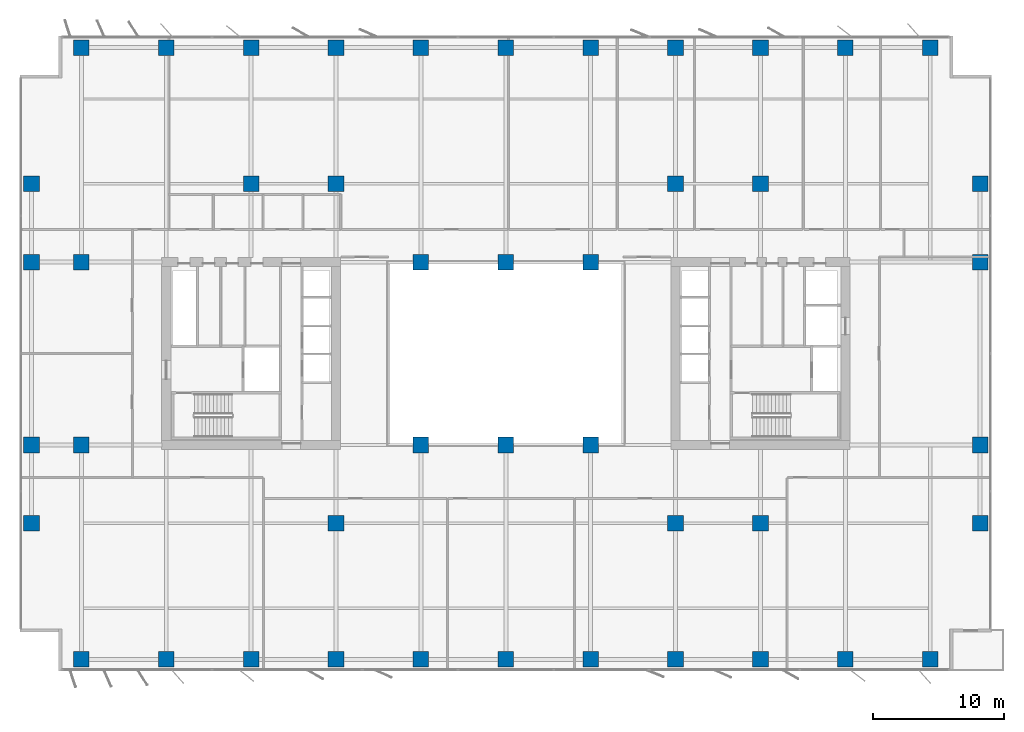
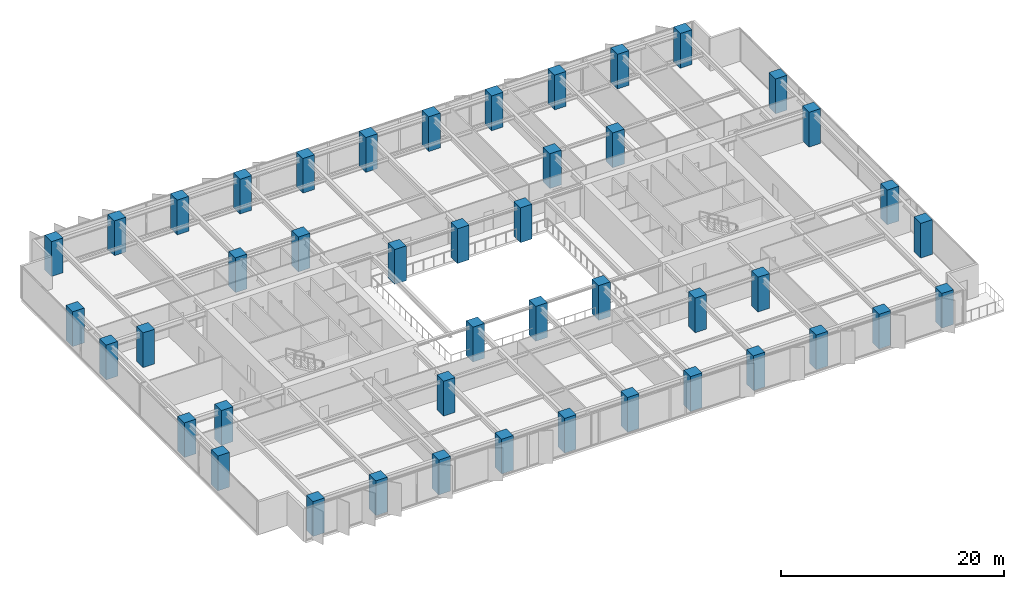
# One storey, part 1 of 20: 45 columns.
"""IFC4 building model written with IfcOpenShell, lengths in metres."""

from ifc_helpers import new_model, si_unit, direction, frame, origin, origin_2d, place, context, subcontext, project, spatial, rectangle, extrude, material, material_profile, profile_set, type_object, element, save


model = new_model("IFC4")

# Units and contexts
model_context = context("Model", 3, precision=1e-05, world=origin(), true_north=direction((0.0, 1.0)))
body_context = subcontext(model_context, "Body", "Model", "MODEL_VIEW")
ifc_project = project(units=[si_unit("LENGTHUNIT", "METRE"), si_unit("AREAUNIT", "SQUARE_METRE"), si_unit("VOLUMEUNIT", "CUBIC_METRE"), si_unit("PLANEANGLEUNIT", "RADIAN"), si_unit("MASSUNIT", "GRAM", prefix="KILO")], contexts=[model_context])

# Site, building, storey
site_placement = place(None, origin())
site = spatial("IfcSite", under=ifc_project, at=site_placement, CompositionType="ELEMENT")
building_placement = place(site_placement, origin())
building = spatial("IfcBuilding", under=site, at=building_placement, Name="Putna Gate Headquarters", CompositionType="ELEMENT")
storey_placement = place(building_placement, frame((0.0, 0.0, 108.800048828125)))
storey = spatial("IfcBuildingStorey", under=building, at=storey_placement, Name="L26", CompositionType="ELEMENT", Elevation=108.800048828125)

# Columns
ifc_material = material(Name="Concrete C60/75", Category="concrete")
ifc_material_profile_1 = material_profile(ifc_material, rectangle(XDim=1.199951171875, YDim=1.199951171875, at=origin_2d()), Name="Concrete C60/75")
ifc_profile_set_1 = profile_set([ifc_material_profile_1], Name="Concrete C60/75")
column_type_1 = type_object("IfcColumnType", Name="COL-RC1200-EXT", PredefinedType="COLUMN", material=ifc_profile_set_1)
for number, where, z_axis, x_axis, name in (
    (1, (6.5, 2.580078125, 0.0), (0.0, 0.0, 1.0), (1.0, 0.0, 0.0), "L26 Column CP-S6"),
    (2, (6.5, 49.419921875, 0.0), (0.0, 0.0, 1.0), (1.0, 0.0, 0.0), "L26 Column CP-N6"),
    (3, (13.0, 2.580078125, 0.0), (0.0, 0.0, 1.0), (1.0, 0.0, 0.0), "L26 Column CP-S13"),
    (4, (13.0, 49.419921875, 0.0), (0.0, 0.0, 1.0), (1.0, 0.0, 0.0), "L26 Column CP-N13"),
    (5, (19.5, 2.580078125, 0.0), (0.0, 0.0, 1.0), (1.0, 0.0, 0.0), "L26 Column CP-S19"),
    (6, (19.5, 49.419921875, 0.0), (0.0, 0.0, 1.0), (1.0, 0.0, 0.0), "L26 Column CP-N19"),
    (7, (26.0, 2.580078125, 0.0), (0.0, 0.0, 1.0), (1.0, 0.0, 0.0), "L26 Column CP-S26"),
    (8, (26.0, 49.419921875, 0.0), (0.0, 0.0, 1.0), (1.0, 0.0, 0.0), "L26 Column CP-N26"),
    (9, (32.5, 2.580078125, 0.0), (0.0, 0.0, 1.0), (1.0, 0.0, 0.0), "L26 Column CP-S32"),
    (10, (32.5, 49.419921875, 0.0), (0.0, 0.0, 1.0), (1.0, 0.0, 0.0), "L26 Column CP-N32"),
    (11, (39.0, 2.580078125, 0.0), (0.0, 0.0, 1.0), (1.0, 0.0, 0.0), "L26 Column CP-S39"),
    (12, (39.0, 49.419921875, 0.0), (0.0, 0.0, 1.0), (1.0, 0.0, 0.0), "L26 Column CP-N39"),
    (13, (45.5, 2.580078125, 0.0), (0.0, 0.0, 1.0), (1.0, 0.0, 0.0), "L26 Column CP-S45"),
    (14, (45.5, 49.419921875, 0.0), (0.0, 0.0, 1.0), (1.0, 0.0, 0.0), "L26 Column CP-N45"),
    (15, (52.0, 2.580078125, 0.0), (0.0, 0.0, 1.0), (1.0, 0.0, 0.0), "L26 Column CP-S52"),
    (16, (52.0, 49.419921875, 0.0), (0.0, 0.0, 1.0), (1.0, 0.0, 0.0), "L26 Column CP-N52"),
    (17, (58.5, 2.580078125, 0.0), (0.0, 0.0, 1.0), (1.0, 0.0, 0.0), "L26 Column CP-S58"),
    (18, (58.5, 49.419921875, 0.0), (0.0, 0.0, 1.0), (1.0, 0.0, 0.0), "L26 Column CP-N58"),
    (19, (65.0, 2.580078125, 0.0), (0.0, 0.0, 1.0), (1.0, 0.0, 0.0), "L26 Column CP-S65"),
    (20, (65.0, 49.419921875, 0.0), (0.0, 0.0, 1.0), (1.0, 0.0, 0.0), "L26 Column CP-N65"),
    (21, (71.5, 2.580078125, 0.0), (0.0, 0.0, 1.0), (1.0, 0.0, 0.0), "L26 Column CP-S71"),
    (22, (71.5, 49.419921875, 0.0), (0.0, 0.0, 1.0), (1.0, 0.0, 0.0), "L26 Column CP-N71"),
    (23, (2.679931640625, 13.0, 0.0), (0.0, 0.0, 1.0), (1.0, 0.0, 0.0), "L26 Column CP-W13"),
    (24, (75.320068359375, 13.0, 0.0), (0.0, 0.0, 1.0), (1.0, 0.0, 0.0), "L26 Column CP-E13"),
    (25, (2.679931640625, 19.0, 0.0), (0.0, 0.0, 1.0), (1.0, 0.0, 0.0), "L26 Column CP-W19"),
    (26, (75.320068359375, 19.0, 0.0), (0.0, 0.0, 1.0), (1.0, 0.0, 0.0), "L26 Column CP-E19"),
    (27, (2.679931640625, 33.0, 0.0), (0.0, 0.0, 1.0), (1.0, 0.0, 0.0), "L26 Column CP-W33"),
    (28, (75.320068359375, 33.0, 0.0), (0.0, 0.0, 1.0), (1.0, 0.0, 0.0), "L26 Column CP-E33"),
    (29, (2.679931640625, 39.0, 0.0), (0.0, 0.0, 1.0), (1.0, 0.0, 0.0), "L26 Column CP-W39"),
    (30, (75.320068359375, 39.0, 0.0), (0.0, 0.0, 1.0), (1.0, 0.0, 0.0), "L26 Column CP-E39"),
):
    element("IfcColumn", number, at=place(storey_placement, frame(where, z_axis=z_axis, x_axis=x_axis)), inside=storey, type_object=column_type_1, Name=name, PredefinedType="COLUMN", context=body_context, shape_type="SweptSolid", body=[
        extrude(rectangle(XDim=1.199951171875, YDim=1.199951171875, at=origin_2d()), origin(), (0.0, 0.0, 1.0), 3.800048828125),
    ])
ifc_material_profile_2 = material_profile(ifc_material, rectangle(XDim=1.199951171875, YDim=1.199951171875, at=origin_2d()), Name="Concrete C60/75")
ifc_profile_set_2 = profile_set([ifc_material_profile_2], Name="Concrete C60/75")
column_type_2 = type_object("IfcColumnType", Name="COL-RC1200-INT", PredefinedType="COLUMN", material=ifc_profile_set_2)
for number, where, z_axis, x_axis, name in (
    (31, (19.5, 39.0, 0.0), (0.0, 0.0, 1.0), (1.0, 0.0, 0.0), "L26 Column CSI-WN"),
    (32, (58.5, 13.0, 0.0), (0.0, 0.0, 1.0), (1.0, 0.0, 0.0), "L26 Column CSI-ES"),
    (33, (58.5, 39.0, 0.0), (0.0, 0.0, 1.0), (1.0, 0.0, 0.0), "L26 Column CSI-EN"),
    (34, (6.5, 19.0, 0.0), (0.0, 0.0, 1.0), (1.0, 0.0, 0.0), "L26 Column CSI-WM"),
    (35, (6.5, 33.0, 0.0), (0.0, 0.0, 1.0), (1.0, 0.0, 0.0), "L26 Column CSI-WNW"),
    (36, (32.5, 19.0, 0.0), (0.0, 0.0, 1.0), (1.0, 0.0, 0.0), "L26 Column CAI-S32"),
    (37, (32.5, 33.0, 0.0), (0.0, 0.0, 1.0), (1.0, 0.0, 0.0), "L26 Column CAI-N32"),
    (38, (39.0, 19.0, 0.0), (0.0, 0.0, 1.0), (1.0, 0.0, 0.0), "L26 Column CAI-S39"),
    (39, (39.0, 33.0, 0.0), (0.0, 0.0, 1.0), (1.0, 0.0, 0.0), "L26 Column CAI-N39"),
    (40, (45.5, 19.0, 0.0), (0.0, 0.0, 1.0), (1.0, 0.0, 0.0), "L26 Column CAI-S45"),
    (41, (45.5, 33.0, 0.0), (0.0, 0.0, 1.0), (1.0, 0.0, 0.0), "L26 Column CAI-N45"),
    (42, (26.0, 13.0, 0.0), (0.0, 0.0, 1.0), (1.0, 0.0, 0.0), "L26 Column CAP-WS"),
    (43, (26.0, 39.0, 0.0), (0.0, 0.0, 1.0), (1.0, 0.0, 0.0), "L26 Column CAP-WN"),
    (44, (52.0, 13.0, 0.0), (0.0, 0.0, 1.0), (1.0, 0.0, 0.0), "L26 Column CAP-ES"),
    (45, (52.0, 39.0, 0.0), (0.0, 0.0, 1.0), (1.0, 0.0, 0.0), "L26 Column CAP-EN"),
):
    element("IfcColumn", number, at=place(storey_placement, frame(where, z_axis=z_axis, x_axis=x_axis)), inside=storey, type_object=column_type_2, Name=name, PredefinedType="COLUMN", context=body_context, shape_type="SweptSolid", body=[
        extrude(rectangle(XDim=1.199951171875, YDim=1.199951171875, at=origin_2d()), origin(), (0.0, 0.0, 1.0), 3.800048828125),
    ])

save(model, "model.ifc")
